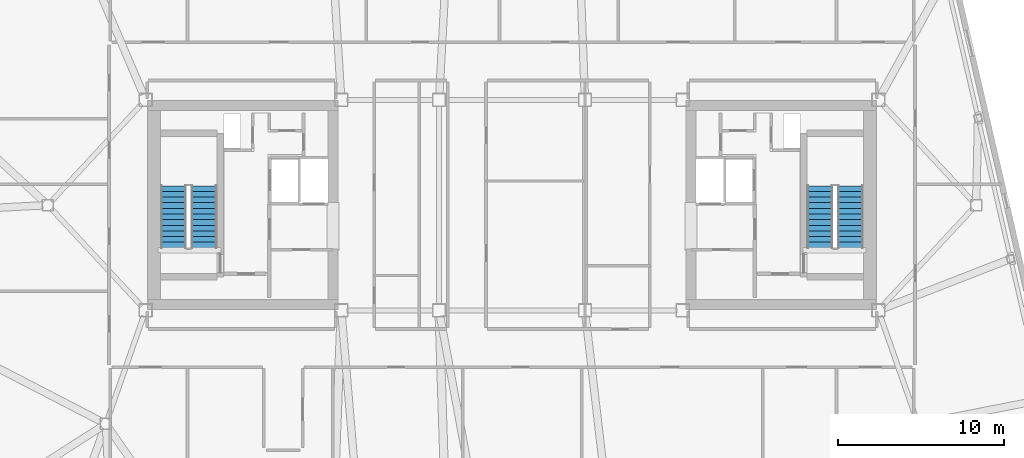
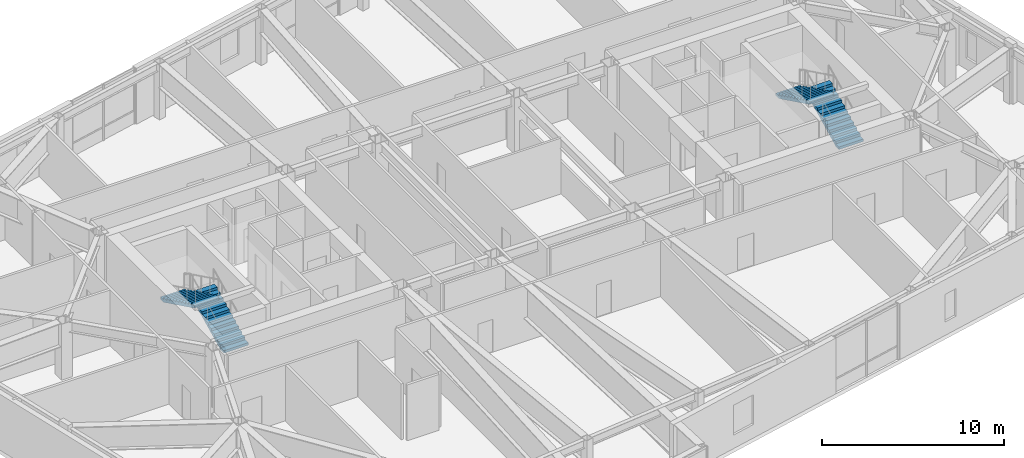
# One storey, part 20 of 23: 4 stair flights, 2 elements without a shape of their own.
"""IFC4 building model written with IfcOpenShell, lengths in metres."""

from ifc_helpers import new_model, si_unit, direction, frame, origin, place, context, subcontext, project, spatial, polyline, outline, extrude, material, type_object, element, aggregate, save


model = new_model("IFC4")

# Units and contexts
model_context = context("Model", 3, precision=1e-05, world=origin(), true_north=direction((0.0, 1.0)))
body_context = subcontext(model_context, "Body", "Model", "MODEL_VIEW")
ifc_project = project(units=[si_unit("LENGTHUNIT", "METRE"), si_unit("AREAUNIT", "SQUARE_METRE"), si_unit("VOLUMEUNIT", "CUBIC_METRE"), si_unit("PLANEANGLEUNIT", "RADIAN"), si_unit("MASSUNIT", "GRAM", prefix="KILO")], contexts=[model_context])

# Site, building, storey
site_placement = place(None, origin())
site = spatial("IfcSite", under=ifc_project, at=site_placement, CompositionType="ELEMENT")
building_placement = place(site_placement, origin())
building = spatial("IfcBuilding", under=site, at=building_placement, Name="Tavrogorsk Clinical Tower", CompositionType="ELEMENT")
storey_placement = place(building_placement, frame((0.0, 0.0, 277.0)))
storey = spatial("IfcBuildingStorey", under=building, at=storey_placement, Name="L64", CompositionType="ELEMENT", Elevation=277.0)

# Stair, stair flights
ifc_material_1 = material(Name="Concrete B60", Category="concrete")
stair_type = type_object("IfcStairType", Name="CoreStairAssembly", PredefinedType="HALF_TURN_STAIR", material=ifc_material_1)
stair_1_placement = place(storey_placement, origin())
stair_1 = element("IfcStair", 1, at=stair_1_placement, inside=storey, type_object=stair_type, Name="L64 ST-W", PredefinedType="HALF_TURN_STAIR")
ifc_material_2 = material(Name="Concrete B60", Category="concrete")
stair_flight_type = type_object("IfcStairFlightType", Name="CoreStairFlight", PredefinedType="STRAIGHT", material=ifc_material_2)
stair_flight_1_placement = place(storey_placement, frame((-18.574951171875, -2.574951171875, 0.0), z_axis=(0.0, 0.0, 1.0), x_axis=(0.0, 1.0, 0.0)))
stair_flight_1 = element("IfcStairFlight", 2, at=stair_flight_1_placement, type_object=stair_flight_type, Name="ST-W flight 1", NumberOfRisers=12, NumberOfTreads=11, PredefinedType="STRAIGHT", RiserHeight=0.166666667, TreadLength=0.34, context=body_context, shape_type="SweptSolid", body=[
    extrude(outline(polyline([(0.0, 0.0), (0.0, 0.166748046875), (0.340087890625, 0.166748046875), (0.340087890625, 0.333251953125), (0.679931640625, 0.333251953125), (0.679931640625, 0.5), (1.02001953125, 0.5), (1.02001953125, 0.666748046875), (1.360107421875, 0.666748046875), (1.360107421875, 0.833251953125), (1.699951171875, 0.833251953125), (1.699951171875, 1.0), (2.0400390625, 1.0), (2.0400390625, 1.166748046875), (2.3798828125, 1.166748046875), (2.3798828125, 1.333251953125), (2.719970703125, 1.333251953125), (2.719970703125, 1.5), (3.06005859375, 1.5), (3.06005859375, 1.666748046875), (3.39990234375, 1.666748046875), (3.39990234375, 1.833251953125), (3.739990234375, 1.833251953125), (3.739990234375, 2.0), (3.739990234375, 1.66650390625), (0.340576171875, 0.0), (0.0, 0.0)])), frame((0.0, 0.77490234375, 0.0), z_axis=(0.0, -1.0, 0.0), x_axis=(1.0, 0.0, 0.0)), (0.0, 0.0, 1.0), 1.550048828125),
])
stair_flight_2_placement = place(storey_placement, frame((-20.425048828125, 1.1650390625, 2.0), z_axis=(0.0, 0.0, 1.0), x_axis=(0.0, -1.0, 0.0)))
stair_flight_2 = element("IfcStairFlight", 3, at=stair_flight_2_placement, type_object=stair_flight_type, Name="ST-W flight 2", NumberOfRisers=12, NumberOfTreads=11, PredefinedType="STRAIGHT", RiserHeight=0.166666667, TreadLength=0.34, context=body_context, shape_type="SweptSolid", body=[
    extrude(outline(polyline([(0.0, 0.0), (0.0, 0.166748046875), (0.340087890625, 0.166748046875), (0.340087890625, 0.333251953125), (0.679931640625, 0.333251953125), (0.679931640625, 0.5), (1.02001953125, 0.5), (1.02001953125, 0.666748046875), (1.360107421875, 0.666748046875), (1.360107421875, 0.833251953125), (1.699951171875, 0.833251953125), (1.699951171875, 1.0), (2.0400390625, 1.0), (2.0400390625, 1.166748046875), (2.3798828125, 1.166748046875), (2.3798828125, 1.333251953125), (2.719970703125, 1.333251953125), (2.719970703125, 1.5), (3.06005859375, 1.5), (3.06005859375, 1.666748046875), (3.39990234375, 1.666748046875), (3.39990234375, 1.833251953125), (3.739990234375, 1.833251953125), (3.739990234375, 2.0), (3.739990234375, 1.66650390625), (0.340576171875, 0.0), (0.0, 0.0)])), frame((0.0, 0.77490234375, 0.0), z_axis=(0.0, -1.0, 0.0), x_axis=(1.0, 0.0, 0.0)), (0.0, 0.0, 1.0), 1.550048828125),
])
aggregate(stair_1, [stair_flight_1, stair_flight_2])

stair_2_placement = place(storey_placement, origin())
stair_2 = element("IfcStair", 4, at=stair_2_placement, inside=storey, type_object=stair_type, Name="L64 ST-E", PredefinedType="HALF_TURN_STAIR")
stair_flight_3_placement = place(storey_placement, frame((20.425048828125, -2.574951171875, 0.0), z_axis=(0.0, 0.0, 1.0), x_axis=(0.0, 1.0, 0.0)))
stair_flight_3 = element("IfcStairFlight", 5, at=stair_flight_3_placement, type_object=stair_flight_type, Name="ST-E flight 1", NumberOfRisers=12, NumberOfTreads=11, PredefinedType="STRAIGHT", RiserHeight=0.166666667, TreadLength=0.34, context=body_context, shape_type="SweptSolid", body=[
    extrude(outline(polyline([(0.0, 0.0), (0.0, 0.166748046875), (0.340087890625, 0.166748046875), (0.340087890625, 0.333251953125), (0.679931640625, 0.333251953125), (0.679931640625, 0.5), (1.02001953125, 0.5), (1.02001953125, 0.666748046875), (1.360107421875, 0.666748046875), (1.360107421875, 0.833251953125), (1.699951171875, 0.833251953125), (1.699951171875, 1.0), (2.0400390625, 1.0), (2.0400390625, 1.166748046875), (2.3798828125, 1.166748046875), (2.3798828125, 1.333251953125), (2.719970703125, 1.333251953125), (2.719970703125, 1.5), (3.06005859375, 1.5), (3.06005859375, 1.666748046875), (3.39990234375, 1.666748046875), (3.39990234375, 1.833251953125), (3.739990234375, 1.833251953125), (3.739990234375, 2.0), (3.739990234375, 1.66650390625), (0.340576171875, 0.0), (0.0, 0.0)])), frame((0.0, 0.77490234375, 0.0), z_axis=(0.0, -1.0, 0.0), x_axis=(1.0, 0.0, 0.0)), (0.0, 0.0, 1.0), 1.550048828125),
])
stair_flight_4_placement = place(storey_placement, frame((18.574951171875, 1.1650390625, 2.0), z_axis=(0.0, 0.0, 1.0), x_axis=(0.0, -1.0, 0.0)))
stair_flight_4 = element("IfcStairFlight", 6, at=stair_flight_4_placement, type_object=stair_flight_type, Name="ST-E flight 2", NumberOfRisers=12, NumberOfTreads=11, PredefinedType="STRAIGHT", RiserHeight=0.166666667, TreadLength=0.34, context=body_context, shape_type="SweptSolid", body=[
    extrude(outline(polyline([(0.0, 0.0), (0.0, 0.166748046875), (0.340087890625, 0.166748046875), (0.340087890625, 0.333251953125), (0.679931640625, 0.333251953125), (0.679931640625, 0.5), (1.02001953125, 0.5), (1.02001953125, 0.666748046875), (1.360107421875, 0.666748046875), (1.360107421875, 0.833251953125), (1.699951171875, 0.833251953125), (1.699951171875, 1.0), (2.0400390625, 1.0), (2.0400390625, 1.166748046875), (2.3798828125, 1.166748046875), (2.3798828125, 1.333251953125), (2.719970703125, 1.333251953125), (2.719970703125, 1.5), (3.06005859375, 1.5), (3.06005859375, 1.666748046875), (3.39990234375, 1.666748046875), (3.39990234375, 1.833251953125), (3.739990234375, 1.833251953125), (3.739990234375, 2.0), (3.739990234375, 1.66650390625), (0.340576171875, 0.0), (0.0, 0.0)])), frame((0.0, 0.77490234375, 0.0), z_axis=(0.0, -1.0, 0.0), x_axis=(1.0, 0.0, 0.0)), (0.0, 0.0, 1.0), 1.550048828125),
])
aggregate(stair_2, [stair_flight_3, stair_flight_4])

save(model, "model.ifc")
